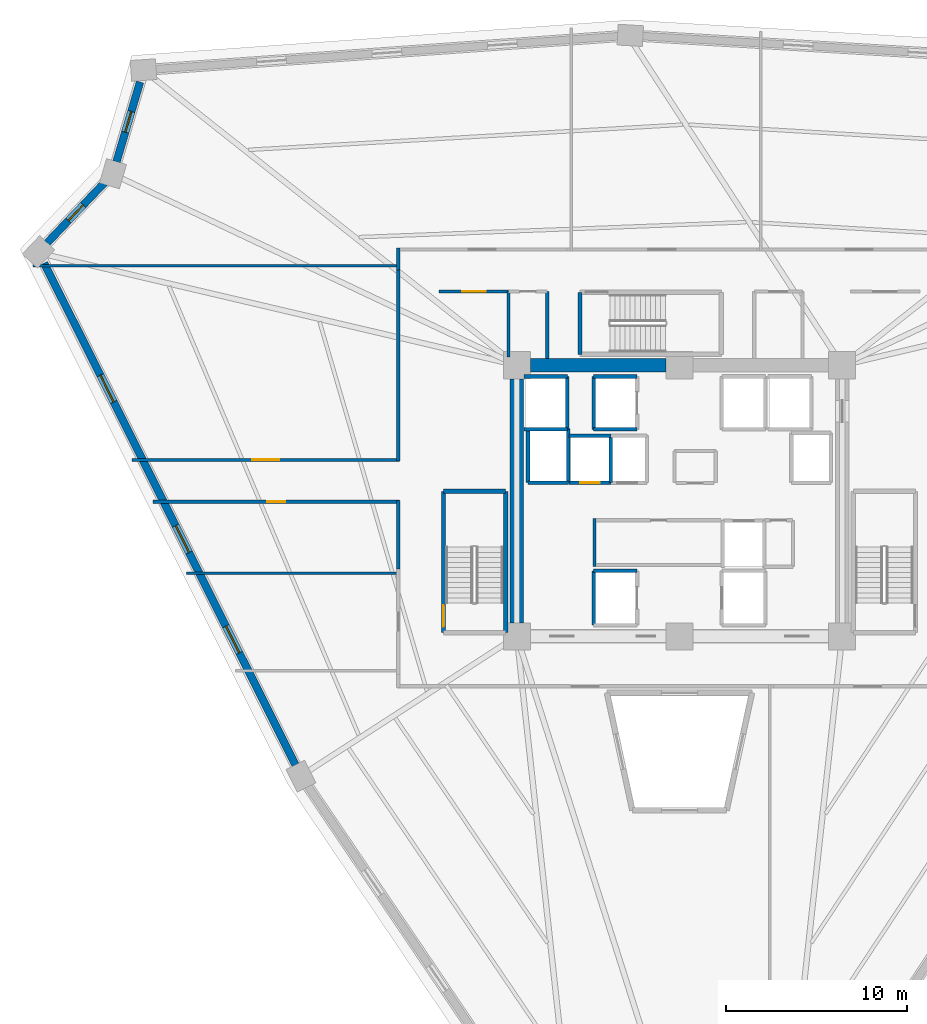
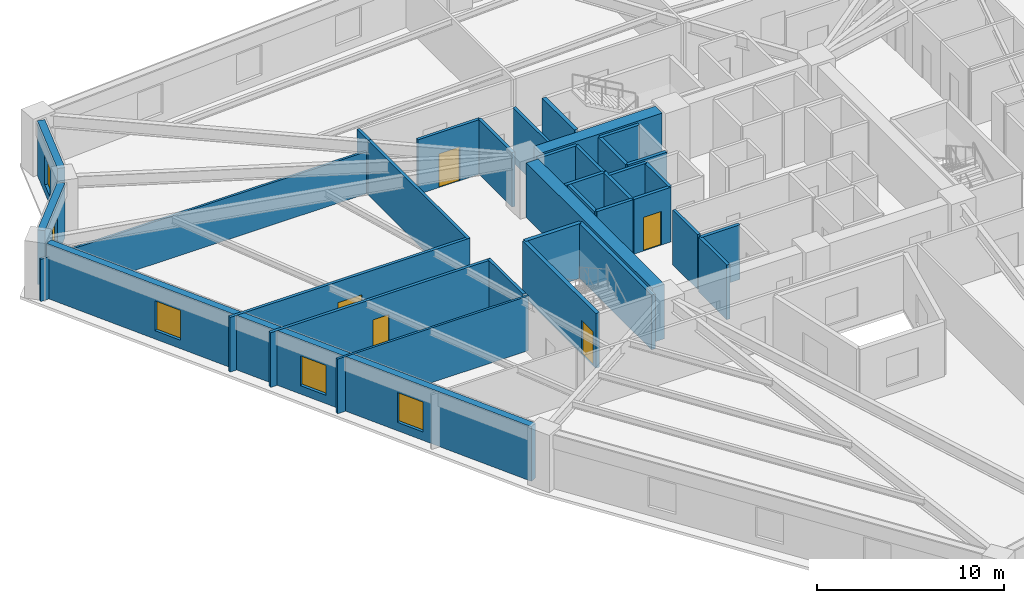
# One storey, part 4 of 8: 34 walls, 5 doors, 5 windows, 10 openings.
"""IFC4 building model written with IfcOpenShell, lengths in metres."""

from ifc_helpers import new_model, si_unit, direction, frame, frame_2d, origin, place, context, subcontext, project, spatial, rectangle, extrude, source, transform, mapped, material, layer, layer_set, type_object, element, fill, save


model = new_model("IFC4")

# Units and contexts
model_context = context("Model", 3, precision=1e-05, world=origin(), true_north=direction((0.0, 1.0)))
body_context = subcontext(model_context, "Body", "Model", "MODEL_VIEW")
ifc_project = project(units=[si_unit("LENGTHUNIT", "METRE"), si_unit("AREAUNIT", "SQUARE_METRE"), si_unit("VOLUMEUNIT", "CUBIC_METRE"), si_unit("PLANEANGLEUNIT", "RADIAN"), si_unit("MASSUNIT", "GRAM", prefix="KILO")], contexts=[model_context])

# Site, building, storey
site_placement = place(None, origin())
site = spatial("IfcSite", under=ifc_project, at=site_placement, CompositionType="ELEMENT")
building_placement = place(site_placement, origin())
building = spatial("IfcBuilding", under=site, at=building_placement, Name="Liaohun Quay Tower", CompositionType="ELEMENT")
storey_placement = place(building_placement, frame((0.0, 0.0, 151.5)))
storey = spatial("IfcBuildingStorey", under=building, at=storey_placement, Name="L39", CompositionType="ELEMENT", Elevation=151.5)

# Walls
ifc_material_1 = material(Name="Concrete C60", Category="concrete")
ifc_layer_1 = layer(ifc_material_1, 0.75, Name="Concrete C60", Category="concrete")
ifc_layer_set_1 = layer_set([ifc_layer_1], Name="Concrete C60")
wall_type_1 = type_object("IfcWallType", Name="WAL-COR-Z2", PredefinedType="SHEAR", material=ifc_layer_set_1)
wall_1_placement = place(storey_placement, frame((51.75, 61.5, 0.0), z_axis=(0.0, 0.0, 1.0), x_axis=(1.0, 0.0, 0.0)))
element("IfcWall", 1, at=wall_1_placement, inside=storey, type_object=wall_type_1, Name="L39 Central Core Shear Wall N-W", PredefinedType="SHEAR", context=body_context, shape_type="SweptSolid", body=[
    extrude(rectangle(XDim=7.5, YDim=0.75, at=frame_2d((3.75, 0.0))), origin(), (0.0, 0.0, 1.0), 3.570068359375),
])
wall_2_placement = place(storey_placement, frame((51.0, 47.25, 0.0), z_axis=(0.0, 0.0, 1.0), x_axis=(0.0, 1.0, 0.0)))
element("IfcWall", 2, at=wall_2_placement, inside=storey, type_object=wall_type_1, Name="L39 Central Core Shear Wall W", PredefinedType="SHEAR", context=body_context, shape_type="SweptSolid", body=[
    extrude(rectangle(XDim=13.5, YDim=0.75, at=frame_2d((6.75, 0.0))), origin(), (0.0, 0.0, 1.0), 3.570068359375),
])

# Wall, opening, window
ifc_material_2 = material(Name="Precast concrete C50 insulated sandwich", Category="concrete")
ifc_layer_2 = layer(ifc_material_2, 0.419921875, Name="Precast concrete C50 insulated sandwich", Category="concrete")
ifc_layer_set_2 = layer_set([ifc_layer_2], Name="Precast concrete C50 insulated sandwich")
wall_type_2 = type_object("IfcWallType", Name="WAL-EXT-Z12", PredefinedType="SOLIDWALL", material=ifc_layer_set_2)
wall_3_placement = place(storey_placement, frame((30.14892578125, 77.175048828125, 0.0), z_axis=(0.0, 0.0, 1.0), x_axis=(-0.282915865334, -0.959144730029, 0.0)))
wall_3 = element("IfcWall", 3, at=wall_3_placement, inside=storey, type_object=wall_type_2, Name="L39 Brutalist Precast Pier Wall 08", PredefinedType="SOLIDWALL", context=body_context, shape_type="SweptSolid", body=[
    extrude(rectangle(XDim=4.60205078125, YDim=0.419921875, at=frame_2d((2.301025390625, 0.0))), origin(), (0.0, 0.0, 1.0), 3.570068359375),
])
shared_shape_1 = source(origin(), body_context, "Body", "SweptSolid", [
    extrude(rectangle(XDim=1.199951171875, YDim=1.89990234375, at=frame_2d((0.60009765625, 0.949951171875))), frame((0.0, 0.219970703125, 0.0), z_axis=(0.0, -1.0, 0.0), x_axis=(1.0, 0.0, 0.0)), (0.0, 0.0, 1.0), 0.43994140625),
])
opening_1_placement = place(wall_3_placement, frame((1.700927734375, 0.0, 0.550048828125)))
opening_1 = element("IfcOpeningElement", 4, at=opening_1_placement, cuts=wall_3, Name="Opening W05", PredefinedType="OPENING", context=body_context, shape_type="MappedRepresentation", body=[
    mapped(shared_shape_1, transform((0.0, 0.0, 0.0), x_axis=(1.0, 0.0, 0.0), y_axis=(0.0, 1.0, 0.0), z_axis=(0.0, 0.0, 1.0), scale=1.0)),
])
ifc_material_3 = material(Name="Triple Low-E corner notch glazing", Category="glass")
window_type_1 = type_object("IfcWindowType", Name="WIN-NOTCH", PartitioningType="SINGLE_PANEL", PredefinedType="WINDOW", material=ifc_material_3)
shared_shape_2 = source(origin(), body_context, "Body", "SweptSolid", [
    extrude(rectangle(XDim=1.199951171875, YDim=1.89990234375, at=frame_2d((0.60009765625, 0.949951171875))), frame((0.0, 0.030029296875, 0.0), z_axis=(0.0, -1.0, 0.0), x_axis=(1.0, 0.0, 0.0)), (0.0, 0.0, 1.0), 0.06005859375),
])
window_1_placement = place(opening_1_placement, origin())
window_1 = element("IfcWindow", 5, at=window_1_placement, inside=storey, type_object=window_type_1, Name="L39 Corner Notch Window W05-08", OverallHeight=1.89990234375, OverallWidth=1.199951171875, PartitioningType="SINGLE_PANEL", PredefinedType="WINDOW", context=body_context, shape_type="MappedRepresentation", body=[
    mapped(shared_shape_2, transform((0.0, 0.0, 0.0), x_axis=(1.0, 0.0, 0.0), y_axis=(0.0, 1.0, 0.0), z_axis=(0.0, 0.0, 1.0), scale=1.0)),
])
fill(opening_1, window_1)

wall_4_placement = place(storey_placement, frame((28.176025390625, 71.59912109375, 0.0), z_axis=(0.0, 0.0, 1.0), x_axis=(-0.689246421926, -0.724526997331, 0.0)))
wall_4 = element("IfcWall", 6, at=wall_4_placement, inside=storey, type_object=wall_type_2, Name="L39 Brutalist Precast Pier Wall 09", PredefinedType="SOLIDWALL", context=body_context, shape_type="SweptSolid", body=[
    extrude(rectangle(XDim=4.594970703125, YDim=0.419921875, at=frame_2d((2.29736328125, 0.0))), origin(), (0.0, 0.0, 1.0), 3.570068359375),
])
opening_2_placement = place(wall_4_placement, frame((1.697021484375, 0.0, 0.550048828125)))
opening_2 = element("IfcOpeningElement", 7, at=opening_2_placement, cuts=wall_4, Name="Opening W05", PredefinedType="OPENING", context=body_context, shape_type="MappedRepresentation", body=[
    mapped(shared_shape_1, transform((0.0, 0.0, 0.0), x_axis=(1.0, 0.0, 0.0), y_axis=(0.0, 1.0, 0.0), z_axis=(0.0, 0.0, 1.0), scale=1.0)),
])
window_2_placement = place(opening_2_placement, origin())
window_2 = element("IfcWindow", 8, at=window_2_placement, inside=storey, type_object=window_type_1, Name="L39 Corner Notch Window W05-09", OverallHeight=1.89990234375, OverallWidth=1.199951171875, PartitioningType="SINGLE_PANEL", PredefinedType="WINDOW", context=body_context, shape_type="MappedRepresentation", body=[
    mapped(shared_shape_2, transform((0.0, 0.0, 0.0), x_axis=(1.0, 0.0, 0.0), y_axis=(0.0, 1.0, 0.0), z_axis=(0.0, 0.0, 1.0), scale=1.0)),
])
fill(opening_2, window_2)

# Wall, openings, windows
wall_5_placement = place(storey_placement, frame((24.842041015625, 67.153076171875, 0.0), z_axis=(0.0, 0.0, 1.0), x_axis=(0.447741761442, -0.894162913043, 0.0)))
wall_5 = element("IfcWall", 9, at=wall_5_placement, inside=storey, type_object=wall_type_2, Name="L39 Brutalist Precast Pier Wall 10", PredefinedType="SOLIDWALL", context=body_context, shape_type="SweptSolid", body=[
    extrude(rectangle(XDim=31.05810546875, YDim=0.419921875, at=frame_2d((15.529052734375, 0.0))), origin(), (0.0, 0.0, 1.0), 3.570068359375),
])
shared_shape_3 = source(origin(), body_context, "Body", "SweptSolid", [
    extrude(rectangle(XDim=1.64990234375, YDim=1.949951171875, at=frame_2d((0.824951171875, 0.97509765625))), frame((0.0, 0.219970703125, 0.0), z_axis=(0.0, -1.0, 0.0), x_axis=(1.0, 0.0, 0.0)), (0.0, 0.0, 1.0), 0.43994140625),
])
opening_3_placement = place(wall_5_placement, frame((6.93994140625, 0.0, 0.550048828125)))
opening_3 = element("IfcOpeningElement", 10, at=opening_3_placement, cuts=wall_5, Name="Opening W02", PredefinedType="OPENING", context=body_context, shape_type="MappedRepresentation", body=[
    mapped(shared_shape_3, transform((0.0, 0.0, 0.0), x_axis=(1.0, 0.0, 0.0), y_axis=(0.0, 1.0, 0.0), z_axis=(0.0, 0.0, 1.0), scale=1.0)),
])
opening_4_placement = place(wall_5_placement, frame((16.25390625, 0.0, 0.550048828125)))
opening_4 = element("IfcOpeningElement", 11, at=opening_4_placement, cuts=wall_5, Name="Opening W02", PredefinedType="OPENING", context=body_context, shape_type="MappedRepresentation", body=[
    mapped(shared_shape_3, transform((0.0, 0.0, 0.0), x_axis=(1.0, 0.0, 0.0), y_axis=(0.0, 1.0, 0.0), z_axis=(0.0, 0.0, 1.0), scale=1.0)),
])
opening_5_placement = place(wall_5_placement, frame((22.468994140625, 0.0, 0.550048828125)))
opening_5 = element("IfcOpeningElement", 12, at=opening_5_placement, cuts=wall_5, Name="Opening W02", PredefinedType="OPENING", context=body_context, shape_type="MappedRepresentation", body=[
    mapped(shared_shape_3, transform((0.0, 0.0, 0.0), x_axis=(1.0, 0.0, 0.0), y_axis=(0.0, 1.0, 0.0), z_axis=(0.0, 0.0, 1.0), scale=1.0)),
])
ifc_material_4 = material(Name="Triple Low-E argon glazing in thermally broken aluminium", Category="aluminium")
window_type_2 = type_object("IfcWindowType", Name="WIN-PUN-Z2", PartitioningType="DOUBLE_PANEL_VERTICAL", PredefinedType="WINDOW", material=ifc_material_4)
shared_shape_4 = source(origin(), body_context, "Body", "SweptSolid", [
    extrude(rectangle(XDim=1.64990234375, YDim=1.949951171875, at=frame_2d((0.824951171875, 0.97509765625))), frame((0.0, 0.030029296875, 0.0), z_axis=(0.0, -1.0, 0.0), x_axis=(1.0, 0.0, 0.0)), (0.0, 0.0, 1.0), 0.06005859375),
])
window_3_placement = place(opening_3_placement, origin())
window_3 = element("IfcWindow", 13, at=window_3_placement, inside=storey, type_object=window_type_2, Name="L39 Recessed Cold-Climate Punched Window 10-1", OverallHeight=1.949951171875, OverallWidth=1.64990234375, PartitioningType="DOUBLE_PANEL_VERTICAL", PredefinedType="WINDOW", context=body_context, shape_type="MappedRepresentation", body=[
    mapped(shared_shape_4, transform((0.0, 0.0, 0.0), x_axis=(1.0, 0.0, 0.0), y_axis=(0.0, 1.0, 0.0), z_axis=(0.0, 0.0, 1.0), scale=1.0)),
])
fill(opening_3, window_3)
window_4_placement = place(opening_4_placement, origin())
window_4 = element("IfcWindow", 14, at=window_4_placement, inside=storey, type_object=window_type_2, Name="L39 Recessed Cold-Climate Punched Window 10-2", OverallHeight=1.949951171875, OverallWidth=1.64990234375, PartitioningType="DOUBLE_PANEL_VERTICAL", PredefinedType="WINDOW", context=body_context, shape_type="MappedRepresentation", body=[
    mapped(shared_shape_4, transform((0.0, 0.0, 0.0), x_axis=(1.0, 0.0, 0.0), y_axis=(0.0, 1.0, 0.0), z_axis=(0.0, 0.0, 1.0), scale=1.0)),
])
fill(opening_4, window_4)
window_5_placement = place(opening_5_placement, origin())
window_5 = element("IfcWindow", 15, at=window_5_placement, inside=storey, type_object=window_type_2, Name="L39 Recessed Cold-Climate Punched Window 10-3", OverallHeight=1.949951171875, OverallWidth=1.64990234375, PartitioningType="DOUBLE_PANEL_VERTICAL", PredefinedType="WINDOW", context=body_context, shape_type="MappedRepresentation", body=[
    mapped(shared_shape_4, transform((0.0, 0.0, 0.0), x_axis=(1.0, 0.0, 0.0), y_axis=(0.0, 1.0, 0.0), z_axis=(0.0, 0.0, 1.0), scale=1.0)),
])
fill(opening_5, window_5)

# Wall, opening, door
ifc_material_5 = material(Name="Autoclaved aerated concrete blockwork", Category="masonry")
ifc_layer_3 = layer(ifc_material_5, 0.179931640625, Name="Autoclaved aerated concrete blockwork", Category="masonry")
ifc_layer_set_3 = layer_set([ifc_layer_3], Name="Autoclaved aerated concrete blockwork")
wall_type_3 = type_object("IfcWallType", Name="WAL-PRT-COR", PredefinedType="PARTITIONING", material=ifc_layer_set_3)
wall_6_placement = place(storey_placement, frame((46.699951171875, 65.580078125, 0.0), z_axis=(0.0, 0.0, 1.0), x_axis=(1.0, 0.0, 0.0)))
wall_6 = element("IfcWall", 16, at=wall_6_placement, inside=storey, type_object=wall_type_3, Name="L39 Interior Partition Wall 009", PredefinedType="PARTITIONING", context=body_context, shape_type="SweptSolid", body=[
    extrude(rectangle(XDim=3.840087890625, YDim=0.179931640625, at=frame_2d((1.919921875, 0.0))), origin(), (0.0, 0.0, 1.0), 3.570068359375),
])
shared_shape_5 = source(origin(), body_context, "Body", "SweptSolid", [
    extrude(rectangle(XDim=1.300048828125, YDim=2.199951171875, at=frame_2d((0.64990234375, 1.10009765625))), frame((0.0, 0.099853515625, 0.0), z_axis=(0.0, -1.0, 0.0), x_axis=(1.0, 0.0, 0.0)), (0.0, 0.0, 1.0), 0.199951171875),
])
opening_6_placement = place(wall_6_placement, frame((1.27001953125, 0.0, 0.0)))
opening_6 = element("IfcOpeningElement", 17, at=opening_6_placement, cuts=wall_6, Name="Opening FD1", PredefinedType="OPENING", context=body_context, shape_type="MappedRepresentation", body=[
    mapped(shared_shape_5, transform((0.0, 0.0, 0.0), x_axis=(1.0, 0.0, 0.0), y_axis=(0.0, 1.0, 0.0), z_axis=(0.0, 0.0, 1.0), scale=1.0)),
])
ifc_material_6 = material(Name="Galvanised steel smokeproof fire door", Category="steel")
door_type_1 = type_object("IfcDoorType", Name="DOR-FFL-1300", OperationType="NOTDEFINED", PredefinedType="DOOR", material=ifc_material_6)
shared_shape_6 = source(origin(), body_context, "Body", "SweptSolid", [
    extrude(rectangle(XDim=1.300048828125, YDim=2.199951171875, at=frame_2d((0.64990234375, 1.10009765625))), frame((0.0, 0.02490234375, 0.0), z_axis=(0.0, -1.0, 0.0), x_axis=(1.0, 0.0, 0.0)), (0.0, 0.0, 1.0), 0.050048828125),
])
door_1_placement = place(opening_6_placement, origin())
door_1 = element("IfcDoor", 18, at=door_1_placement, inside=storey, type_object=door_type_1, Name="L39 West Core Vestibule Door", OperationType="SINGLE_SWING_RIGHT", OverallHeight=2.199951171875, OverallWidth=1.300048828125, PredefinedType="DOOR", context=body_context, shape_type="MappedRepresentation", body=[
    mapped(shared_shape_6, transform((0.0, 0.0, 0.0), x_axis=(1.0, 0.0, 0.0), y_axis=(0.0, 1.0, 0.0), z_axis=(0.0, 0.0, 1.0), scale=1.0)),
])
fill(opening_6, door_1)

wall_7_placement = place(storey_placement, frame((29.700927734375, 56.260009765625, 0.0), z_axis=(0.0, 0.0, 1.0), x_axis=(1.0, 0.0, 0.0)))
wall_7 = element("IfcWall", 19, at=wall_7_placement, inside=storey, type_object=wall_type_3, Name="L39 Interior Partition Wall 015", PredefinedType="PARTITIONING", context=body_context, shape_type="SweptSolid", body=[
    extrude(rectangle(XDim=14.80908203125, YDim=0.179931640625, at=frame_2d((7.404541015625, 0.0))), origin(), (0.0, 0.0, 1.0), 3.570068359375),
])
shared_shape_7 = source(origin(), body_context, "Body", "SweptSolid", [
    extrude(rectangle(XDim=1.5, YDim=2.199951171875, at=frame_2d((0.75, 1.10009765625))), frame((0.0, 0.099853515625, 0.0), z_axis=(0.0, -1.0, 0.0), x_axis=(1.0, 0.0, 0.0)), (0.0, 0.0, 1.0), 0.199951171875),
])
opening_7_placement = place(wall_7_placement, frame((6.654052734375, 0.0, 0.0)))
opening_7 = element("IfcOpeningElement", 20, at=opening_7_placement, cuts=wall_7, Name="Opening OD2", PredefinedType="OPENING", context=body_context, shape_type="MappedRepresentation", body=[
    mapped(shared_shape_7, transform((0.0, 0.0, 0.0), x_axis=(1.0, 0.0, 0.0), y_axis=(0.0, 1.0, 0.0), z_axis=(0.0, 0.0, 1.0), scale=1.0)),
])
ifc_material_7 = material(Name="Acoustic oak veneer double door")
door_type_2 = type_object("IfcDoorType", Name="DOR-OFF-1500", OperationType="DOUBLE_DOOR_SINGLE_SWING", PredefinedType="DOOR", material=ifc_material_7)
shared_shape_8 = source(origin(), body_context, "Body", "SweptSolid", [
    extrude(rectangle(XDim=1.5, YDim=2.199951171875, at=frame_2d((0.75, 1.10009765625))), frame((0.0, 0.02490234375, 0.0), z_axis=(0.0, -1.0, 0.0), x_axis=(1.0, 0.0, 0.0)), (0.0, 0.0, 1.0), 0.050048828125),
])
door_2_placement = place(opening_7_placement, origin())
door_2 = element("IfcDoor", 21, at=door_2_placement, inside=storey, type_object=door_type_2, Name="L39 Occupational Wellness Clinic 05 Door", OperationType="DOUBLE_DOOR_SINGLE_SWING", OverallHeight=2.199951171875, OverallWidth=1.5, PredefinedType="DOOR", context=body_context, shape_type="MappedRepresentation", body=[
    mapped(shared_shape_8, transform((0.0, 0.0, 0.0), x_axis=(1.0, 0.0, 0.0), y_axis=(0.0, 1.0, 0.0), z_axis=(0.0, 0.0, 1.0), scale=1.0)),
])
fill(opening_7, door_2)

wall_8_placement = place(storey_placement, frame((44.510009765625, 53.93994140625, 0.0), z_axis=(0.0, 0.0, 1.0), x_axis=(-1.0, 0.0, 0.0)))
wall_8 = element("IfcWall", 22, at=wall_8_placement, inside=storey, type_object=wall_type_3, Name="L39 Interior Partition Wall 016", PredefinedType="PARTITIONING", context=body_context, shape_type="SweptSolid", body=[
    extrude(rectangle(XDim=13.64697265625, YDim=0.179931640625, at=frame_2d((6.823486328125, 0.0))), origin(), (0.0, 0.0, 1.0), 3.570068359375),
])
shared_shape_9 = source(origin(), body_context, "Body", "SweptSolid", [
    extrude(rectangle(XDim=1.0, YDim=2.199951171875, at=frame_2d((0.5, 1.10009765625))), frame((0.0, 0.099853515625, 0.0), z_axis=(0.0, -1.0, 0.0), x_axis=(1.0, 0.0, 0.0)), (0.0, 0.0, 1.0), 0.199951171875),
])
opening_8_placement = place(wall_8_placement, frame((6.322998046875, 0.0, 0.0)))
opening_8 = element("IfcOpeningElement", 23, at=opening_8_placement, cuts=wall_8, Name="Opening OD1", PredefinedType="OPENING", context=body_context, shape_type="MappedRepresentation", body=[
    mapped(shared_shape_9, transform((0.0, 0.0, 0.0), x_axis=(1.0, 0.0, 0.0), y_axis=(0.0, 1.0, 0.0), z_axis=(0.0, 0.0, 1.0), scale=1.0)),
])
ifc_material_8 = material(Name="Solid-core oak veneer timber leaf in steel frame", Category="steel")
door_type_3 = type_object("IfcDoorType", Name="DOR-OFF-1000", OperationType="NOTDEFINED", PredefinedType="DOOR", material=ifc_material_8)
shared_shape_10 = source(origin(), body_context, "Body", "SweptSolid", [
    extrude(rectangle(XDim=1.0, YDim=2.199951171875, at=frame_2d((0.5, 1.10009765625))), frame((0.0, 0.02490234375, 0.0), z_axis=(0.0, -1.0, 0.0), x_axis=(1.0, 0.0, 0.0)), (0.0, 0.0, 1.0), 0.050048828125),
])
door_3_placement = place(opening_8_placement, origin())
door_3 = element("IfcDoor", 24, at=door_3_placement, inside=storey, type_object=door_type_3, Name="L39 Staff Tea Kitchen and Pantry 06 Door", OperationType="SINGLE_SWING_LEFT", OverallHeight=2.199951171875, OverallWidth=1.0, PredefinedType="DOOR", context=body_context, shape_type="MappedRepresentation", body=[
    mapped(shared_shape_10, transform((0.0, 0.0, 0.0), x_axis=(1.0, 0.0, 0.0), y_axis=(0.0, 1.0, 0.0), z_axis=(0.0, 0.0, 1.0), scale=1.0)),
])
fill(opening_8, door_3)

# Walls
wall_9_placement = place(storey_placement, frame((50.5400390625, 61.949951171875, 0.0), z_axis=(0.0, 0.0, 1.0), x_axis=(0.0, 1.0, 0.0)))
element("IfcWall", 25, at=wall_9_placement, inside=storey, type_object=wall_type_3, Name="L39 Interior Partition Wall 032", PredefinedType="PARTITIONING", context=body_context, shape_type="SweptSolid", body=[
    extrude(rectangle(XDim=3.630126953125, YDim=0.179931640625, at=frame_2d((1.81494140625, 0.0))), origin(), (0.0, 0.0, 1.0), 3.570068359375),
])
wall_10_placement = place(storey_placement, frame((52.679931640625, 61.875, 0.0), z_axis=(0.0, 0.0, 1.0), x_axis=(0.0, 1.0, 0.0)))
element("IfcWall", 26, at=wall_10_placement, inside=storey, type_object=wall_type_3, Name="L39 Interior Partition Wall 033", PredefinedType="PARTITIONING", context=body_context, shape_type="SweptSolid", body=[
    extrude(rectangle(XDim=3.705078125, YDim=0.179931640625, at=frame_2d((1.8525390625, 0.0))), origin(), (0.0, 0.0, 1.0), 3.570068359375),
])
wall_11_placement = place(storey_placement, frame((44.43994140625, 66.784912109375, 0.0), z_axis=(0.0, 0.0, 1.0), x_axis=(0.0, 1.0, 0.0)))
element("IfcWall", 27, at=wall_11_placement, inside=storey, type_object=wall_type_3, Name="L39 Interior Partition Wall 038", PredefinedType="PARTITIONING", context=body_context, shape_type="SweptSolid", body=[
    extrude(rectangle(XDim=1.195068359375, YDim=0.179931640625, at=frame_2d((0.59765625, 0.0))), origin(), (0.0, 0.0, 1.0), 3.570068359375),
])
wall_12_placement = place(storey_placement, frame((44.43994140625, 56.18994140625, 0.0), z_axis=(0.0, 0.0, 1.0), x_axis=(0.0, 1.0, 0.0)))
element("IfcWall", 28, at=wall_12_placement, inside=storey, type_object=wall_type_3, Name="L39 Interior Partition Wall 039", PredefinedType="PARTITIONING", context=body_context, shape_type="SweptSolid", body=[
    extrude(rectangle(XDim=10.594970703125, YDim=0.179931640625, at=frame_2d((5.29736328125, 0.0))), origin(), (0.0, 0.0, 1.0), 3.570068359375),
])
wall_13_placement = place(storey_placement, frame((44.43994140625, 50.215087890625, 0.0), z_axis=(0.0, 0.0, 1.0), x_axis=(0.0, 1.0, 0.0)))
element("IfcWall", 29, at=wall_13_placement, inside=storey, type_object=wall_type_3, Name="L39 Interior Partition Wall 040", PredefinedType="PARTITIONING", context=body_context, shape_type="SweptSolid", body=[
    extrude(rectangle(XDim=3.794921875, YDim=0.179931640625, at=frame_2d((1.8974609375, 0.0))), origin(), (0.0, 0.0, 1.0), 3.570068359375),
])
wall_14_placement = place(storey_placement, frame((55.300048828125, 50.360107421875, 0.0), z_axis=(0.0, 0.0, 1.0), x_axis=(0.0, 1.0, 0.0)))
element("IfcWall", 30, at=wall_14_placement, inside=storey, type_object=wall_type_3, Name="L39 Interior Partition Wall 054", PredefinedType="PARTITIONING", context=body_context, shape_type="SweptSolid", body=[
    extrude(rectangle(XDim=2.64990234375, YDim=0.179931640625, at=frame_2d((1.324951171875, 0.0))), origin(), (0.0, 0.0, 1.0), 3.570068359375),
])
ifc_material_9 = material(Name="Gypsum board on twin steel studs", Category="steel")
ifc_layer_4 = layer(ifc_material_9, 0.139892578125, Name="Gypsum board on twin steel studs", Category="steel")
ifc_layer_set_4 = layer_set([ifc_layer_4], Name="Gypsum board on twin steel studs")
wall_type_4 = type_object("IfcWallType", Name="WAL-PRT-OFF", PredefinedType="PARTITIONING", material=ifc_layer_set_4)
wall_15_placement = place(storey_placement, frame((44.5400390625, 50.0, 0.0), z_axis=(0.0, 0.0, 1.0), x_axis=(-1.0, 0.0, 0.0)))
element("IfcWall", 31, at=wall_15_placement, inside=storey, type_object=wall_type_4, Name="L39 Interior Partition Wall 045", PredefinedType="PARTITIONING", context=body_context, shape_type="SweptSolid", body=[
    extrude(rectangle(XDim=11.81298828125, YDim=0.139892578125, at=frame_2d((5.906494140625, 0.0))), origin(), (0.0, 0.0, 1.0), 3.570068359375),
])
wall_16_placement = place(storey_placement, frame((44.5400390625, 67.0, 0.0), z_axis=(0.0, 0.0, 1.0), x_axis=(-1.0, 0.0, 0.0)))
element("IfcWall", 32, at=wall_16_placement, inside=storey, type_object=wall_type_4, Name="L39 Interior Partition Wall 046", PredefinedType="PARTITIONING", context=body_context, shape_type="SweptSolid", body=[
    extrude(rectangle(XDim=20.325927734375, YDim=0.139892578125, at=frame_2d((10.1630859375, 0.0))), origin(), (0.0, 0.0, 1.0), 2.7548828125),
])
ifc_material_10 = material(Name="Concrete C50", Category="concrete")
ifc_layer_5 = layer(ifc_material_10, 0.239990234375, Name="Concrete C50", Category="concrete")
ifc_layer_set_5 = layer_set([ifc_layer_5], Name="Concrete C50")
wall_type_5 = type_object("IfcWallType", Name="WAL-SHF-200", PredefinedType="SOLIDWALL", material=ifc_layer_set_5)
wall_17_placement = place(storey_placement, frame((50.3798828125, 46.699951171875, 0.0), z_axis=(0.0, 0.0, 1.0), x_axis=(0.0, 1.0, 0.0)))
element("IfcWall", 33, at=wall_17_placement, inside=storey, type_object=wall_type_5, Name="L39 Stairwell ST-1 Structural Core Wall E", PredefinedType="SOLIDWALL", context=body_context, shape_type="SweptSolid", body=[
    extrude(rectangle(XDim=7.820068359375, YDim=0.239990234375, at=frame_2d((3.91015625, 0.0))), origin(), (0.0, 0.0, 1.0), 3.570068359375),
])
wall_18_placement = place(storey_placement, frame((50.3798828125, 54.52001953125, 0.0), z_axis=(0.0, 0.0, 1.0), x_axis=(-1.0, 0.0, 0.0)))
element("IfcWall", 34, at=wall_18_placement, inside=storey, type_object=wall_type_5, Name="L39 Stairwell ST-1 Structural Core Wall N", PredefinedType="SOLIDWALL", context=body_context, shape_type="SweptSolid", body=[
    extrude(rectangle(XDim=3.43994140625, YDim=0.239990234375, at=frame_2d((1.719970703125, 0.0))), origin(), (0.0, 0.0, 1.0), 3.570068359375),
])

# Wall, opening, door
wall_19_placement = place(storey_placement, frame((46.93994140625, 54.52001953125, 0.0), z_axis=(0.0, 0.0, 1.0), x_axis=(0.0, -1.0, 0.0)))
wall_19 = element("IfcWall", 35, at=wall_19_placement, inside=storey, type_object=wall_type_5, Name="L39 Stairwell ST-1 Structural Core Wall W", PredefinedType="SOLIDWALL", context=body_context, shape_type="SweptSolid", body=[
    extrude(rectangle(XDim=7.820068359375, YDim=0.239990234375, at=frame_2d((3.91015625, 0.0))), origin(), (0.0, 0.0, 1.0), 3.570068359375),
])
shared_shape_11 = source(origin(), body_context, "Body", "SweptSolid", [
    extrude(rectangle(XDim=1.199951171875, YDim=2.199951171875, at=frame_2d((0.60009765625, 1.10009765625))), frame((0.0, 0.1298828125, 0.0), z_axis=(0.0, -1.0, 0.0), x_axis=(1.0, 0.0, 0.0)), (0.0, 0.0, 1.0), 0.260009765625),
])
opening_9_placement = place(wall_19_placement, frame((6.300048828125, 0.0, 0.0)))
opening_9 = element("IfcOpeningElement", 36, at=opening_9_placement, cuts=wall_19, Name="Opening SD1", PredefinedType="OPENING", context=body_context, shape_type="MappedRepresentation", body=[
    mapped(shared_shape_11, transform((0.0, 0.0, 0.0), x_axis=(1.0, 0.0, 0.0), y_axis=(0.0, 1.0, 0.0), z_axis=(0.0, 0.0, 1.0), scale=1.0)),
])
ifc_material_11 = material(Name="Galvanised steel fire door", Category="steel")
door_type_4 = type_object("IfcDoorType", Name="DOR-STR-1200", OperationType="NOTDEFINED", PredefinedType="DOOR", material=ifc_material_11)
shared_shape_12 = source(origin(), body_context, "Body", "SweptSolid", [
    extrude(rectangle(XDim=1.199951171875, YDim=2.199951171875, at=frame_2d((0.60009765625, 1.10009765625))), frame((0.0, 0.02490234375, 0.0), z_axis=(0.0, -1.0, 0.0), x_axis=(1.0, 0.0, 0.0)), (0.0, 0.0, 1.0), 0.050048828125),
])
door_4_placement = place(opening_9_placement, origin())
door_4 = element("IfcDoor", 37, at=door_4_placement, inside=storey, type_object=door_type_4, Name="L39 Protected Stair ST-1 Fire Door", OperationType="SINGLE_SWING_LEFT", OverallHeight=2.199951171875, OverallWidth=1.199951171875, PredefinedType="DOOR", context=body_context, shape_type="MappedRepresentation", body=[
    mapped(shared_shape_12, transform((0.0, 0.0, 0.0), x_axis=(1.0, 0.0, 0.0), y_axis=(0.0, 1.0, 0.0), z_axis=(0.0, 0.0, 1.0), scale=1.0)),
])
fill(opening_9, door_4)

# Walls
wall_20_placement = place(storey_placement, frame((54.5, 65.5400390625, 0.0), z_axis=(0.0, 0.0, 1.0), x_axis=(0.0, -1.0, 0.0)))
element("IfcWall", 38, at=wall_20_placement, inside=storey, type_object=wall_type_5, Name="L39 Stairwell ST-3 Structural Core Wall W", PredefinedType="SOLIDWALL", context=body_context, shape_type="SweptSolid", body=[
    extrude(rectangle(XDim=3.43994140625, YDim=0.239990234375, at=frame_2d((1.719970703125, 0.0))), origin(), (0.0, 0.0, 1.0), 3.570068359375),
])
wall_21_placement = place(storey_placement, frame((57.64990234375, 50.1201171875, 0.0), z_axis=(0.0, 0.0, 1.0), x_axis=(-1.0, 0.0, 0.0)))
element("IfcWall", 39, at=wall_21_placement, inside=storey, type_object=wall_type_5, Name="L39 Lift FF-01 Hoistway Wall N", PredefinedType="SOLIDWALL", context=body_context, shape_type="SweptSolid", body=[
    extrude(rectangle(XDim=2.39990234375, YDim=0.199951171875, at=frame_2d((1.199951171875, 0.0))), origin(), (0.0, 0.0, 1.0), 3.570068359375),
])
wall_22_placement = place(storey_placement, frame((55.25, 50.1201171875, 0.0), z_axis=(0.0, 0.0, 1.0), x_axis=(0.0, -1.0, 0.0)))
element("IfcWall", 40, at=wall_22_placement, inside=storey, type_object=wall_type_5, Name="L39 Lift FF-01 Hoistway Wall W", PredefinedType="SOLIDWALL", context=body_context, shape_type="SweptSolid", body=[
    extrude(rectangle(XDim=3.0, YDim=0.199951171875, at=frame_2d((1.5, 0.0))), origin(), (0.0, 0.0, 1.0), 3.570068359375),
])
for number, where, z_axis, x_axis, name in (
    (41, (55.25, 57.949951171875, 0.0), (0.0, 0.0, 1.0), (1.0, 0.0, 0.0), "L39 Lift FF-03 Hoistway Wall S"),
    (42, (57.64990234375, 60.8798828125, 0.0), (0.0, 0.0, 1.0), (-1.0, 0.0, 0.0), "L39 Lift FF-03 Hoistway Wall N"),
):
    element("IfcWall", number, at=place(storey_placement, frame(where, z_axis=z_axis, x_axis=x_axis)), inside=storey, type_object=wall_type_5, Name=name, PredefinedType="SOLIDWALL", context=body_context, shape_type="SweptSolid", body=[
        extrude(rectangle(XDim=2.39990234375, YDim=0.199951171875, at=frame_2d((1.199951171875, 0.0))), origin(), (0.0, 0.0, 1.0), 3.570068359375),
    ])
wall_23_placement = place(storey_placement, frame((55.25, 60.8798828125, 0.0), z_axis=(0.0, 0.0, 1.0), x_axis=(0.0, -1.0, 0.0)))
element("IfcWall", 43, at=wall_23_placement, inside=storey, type_object=wall_type_5, Name="L39 Lift FF-03 Hoistway Wall W", PredefinedType="SOLIDWALL", context=body_context, shape_type="SweptSolid", body=[
    extrude(rectangle(XDim=2.929931640625, YDim=0.199951171875, at=frame_2d((1.46484375, 0.0))), origin(), (0.0, 0.0, 1.0), 3.570068359375),
])
wall_24_placement = place(storey_placement, frame((51.39990234375, 57.949951171875, 0.0), z_axis=(0.0, 0.0, 1.0), x_axis=(1.0, 0.0, 0.0)))
element("IfcWall", 44, at=wall_24_placement, inside=storey, type_object=wall_type_5, Name="L39 Lift SH-01 Hoistway Wall S", PredefinedType="SOLIDWALL", context=body_context, shape_type="SweptSolid", body=[
    extrude(rectangle(XDim=2.400146484375, YDim=0.199951171875, at=frame_2d((1.2001953125, 0.0))), origin(), (0.0, 0.0, 1.0), 3.570068359375),
])
wall_25_placement = place(storey_placement, frame((53.800048828125, 57.949951171875, 0.0), z_axis=(0.0, 0.0, 1.0), x_axis=(0.0, 1.0, 0.0)))
element("IfcWall", 45, at=wall_25_placement, inside=storey, type_object=wall_type_5, Name="L39 Lift SH-01 Hoistway Wall E", PredefinedType="SOLIDWALL", context=body_context, shape_type="SweptSolid", body=[
    extrude(rectangle(XDim=2.929931640625, YDim=0.199951171875, at=frame_2d((1.46484375, 0.0))), origin(), (0.0, 0.0, 1.0), 3.570068359375),
])
wall_26_placement = place(storey_placement, frame((53.800048828125, 60.8798828125, 0.0), z_axis=(0.0, 0.0, 1.0), x_axis=(-1.0, 0.0, 0.0)))
element("IfcWall", 46, at=wall_26_placement, inside=storey, type_object=wall_type_5, Name="L39 Lift SH-01 Hoistway Wall N", PredefinedType="SOLIDWALL", context=body_context, shape_type="SweptSolid", body=[
    extrude(rectangle(XDim=2.400146484375, YDim=0.199951171875, at=frame_2d((1.2001953125, 0.0))), origin(), (0.0, 0.0, 1.0), 3.570068359375),
])
wall_27_placement = place(storey_placement, frame((51.6201171875, 55.0, 0.0), z_axis=(0.0, 0.0, 1.0), x_axis=(1.0, 0.0, 0.0)))
element("IfcWall", 47, at=wall_27_placement, inside=storey, type_object=wall_type_5, Name="L39 Lift SH-02 Hoistway Wall S", PredefinedType="SOLIDWALL", context=body_context, shape_type="SweptSolid", body=[
    extrude(rectangle(XDim=2.22998046875, YDim=0.199951171875, at=frame_2d((1.114990234375, 0.0))), origin(), (0.0, 0.0, 1.0), 3.570068359375),
])
for number, where, z_axis, x_axis, name in (
    (48, (53.85009765625, 55.0, 0.0), (0.0, 0.0, 1.0), (0.0, 1.0, 0.0), "L39 Lift SH-02 Hoistway Wall E"),
    (49, (51.6201171875, 58.0, 0.0), (0.0, 0.0, 1.0), (0.0, -1.0, 0.0), "L39 Lift SH-02 Hoistway Wall W"),
):
    element("IfcWall", number, at=place(storey_placement, frame(where, z_axis=z_axis, x_axis=x_axis)), inside=storey, type_object=wall_type_5, Name=name, PredefinedType="SOLIDWALL", context=body_context, shape_type="SweptSolid", body=[
        extrude(rectangle(XDim=3.0, YDim=0.199951171875, at=frame_2d((1.5, 0.0))), origin(), (0.0, 0.0, 1.0), 3.570068359375),
    ])

# Wall, opening, door
wall_28_placement = place(storey_placement, frame((53.89990234375, 55.0, 0.0), z_axis=(0.0, 0.0, 1.0), x_axis=(1.0, 0.0, 0.0)))
wall_28 = element("IfcWall", 50, at=wall_28_placement, inside=storey, type_object=wall_type_5, Name="L39 Lift PL-2B Hoistway Wall S", PredefinedType="SOLIDWALL", context=body_context, shape_type="SweptSolid", body=[
    extrude(rectangle(XDim=2.300048828125, YDim=0.199951171875, at=frame_2d((1.14990234375, 0.0))), origin(), (0.0, 0.0, 1.0), 3.570068359375),
])
shared_shape_13 = source(origin(), body_context, "Body", "SweptSolid", [
    extrude(rectangle(XDim=1.10009765625, YDim=2.199951171875, at=frame_2d((0.550048828125, 1.10009765625))), frame((0.0, 0.10986328125, 0.0), z_axis=(0.0, -1.0, 0.0), x_axis=(1.0, 0.0, 0.0)), (0.0, 0.0, 1.0), 0.219970703125),
])
opening_10_placement = place(wall_28_placement, frame((0.60009765625, 0.0, 0.0)))
opening_10 = element("IfcOpeningElement", 51, at=opening_10_placement, cuts=wall_28, Name="Opening LD1", PredefinedType="OPENING", context=body_context, shape_type="MappedRepresentation", body=[
    mapped(shared_shape_13, transform((0.0, 0.0, 0.0), x_axis=(1.0, 0.0, 0.0), y_axis=(0.0, 1.0, 0.0), z_axis=(0.0, 0.0, 1.0), scale=1.0)),
])
ifc_material_12 = material(Name="Brushed stainless steel landing door", Category="steel")
door_type_5 = type_object("IfcDoorType", Name="DOR-LFT-1100", OperationType="SLIDING_TO_LEFT", PredefinedType="DOOR", material=ifc_material_12)
shared_shape_14 = source(origin(), body_context, "Body", "SweptSolid", [
    extrude(rectangle(XDim=1.10009765625, YDim=2.199951171875, at=frame_2d((0.550048828125, 1.10009765625))), frame((0.0, 0.02490234375, 0.0), z_axis=(0.0, -1.0, 0.0), x_axis=(1.0, 0.0, 0.0)), (0.0, 0.0, 1.0), 0.050048828125),
])
door_5_placement = place(opening_10_placement, origin())
door_5 = element("IfcDoor", 52, at=door_5_placement, inside=storey, type_object=door_type_5, Name="L39 Lift PL-2B Sliding Landing Door", OperationType="SLIDING_TO_LEFT", OverallHeight=2.199951171875, OverallWidth=1.10009765625, PredefinedType="DOOR", context=body_context, shape_type="MappedRepresentation", body=[
    mapped(shared_shape_14, transform((0.0, 0.0, 0.0), x_axis=(1.0, 0.0, 0.0), y_axis=(0.0, 1.0, 0.0), z_axis=(0.0, 0.0, 1.0), scale=1.0)),
])
fill(opening_10, door_5)

# Walls
wall_29_placement = place(storey_placement, frame((56.199951171875, 55.0, 0.0), z_axis=(0.0, 0.0, 1.0), x_axis=(0.0, 1.0, 0.0)))
element("IfcWall", 53, at=wall_29_placement, inside=storey, type_object=wall_type_5, Name="L39 Lift PL-2B Hoistway Wall E", PredefinedType="SOLIDWALL", context=body_context, shape_type="SweptSolid", body=[
    extrude(rectangle(XDim=2.60009765625, YDim=0.199951171875, at=frame_2d((1.300048828125, 0.0))), origin(), (0.0, 0.0, 1.0), 3.570068359375),
])
wall_30_placement = place(storey_placement, frame((56.199951171875, 57.60009765625, 0.0), z_axis=(0.0, 0.0, 1.0), x_axis=(-1.0, 0.0, 0.0)))
element("IfcWall", 54, at=wall_30_placement, inside=storey, type_object=wall_type_5, Name="L39 Lift PL-2B Hoistway Wall N", PredefinedType="SOLIDWALL", context=body_context, shape_type="SweptSolid", body=[
    extrude(rectangle(XDim=2.300048828125, YDim=0.199951171875, at=frame_2d((1.14990234375, 0.0))), origin(), (0.0, 0.0, 1.0), 3.570068359375),
])

save(model, "model.ifc")
